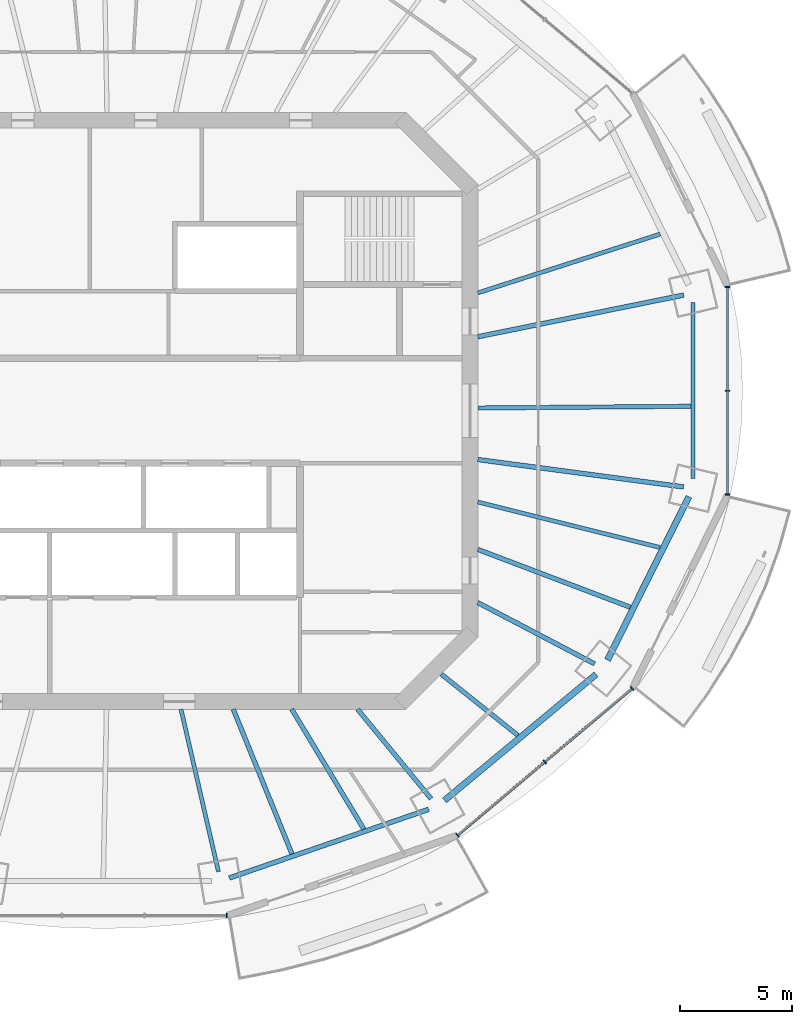
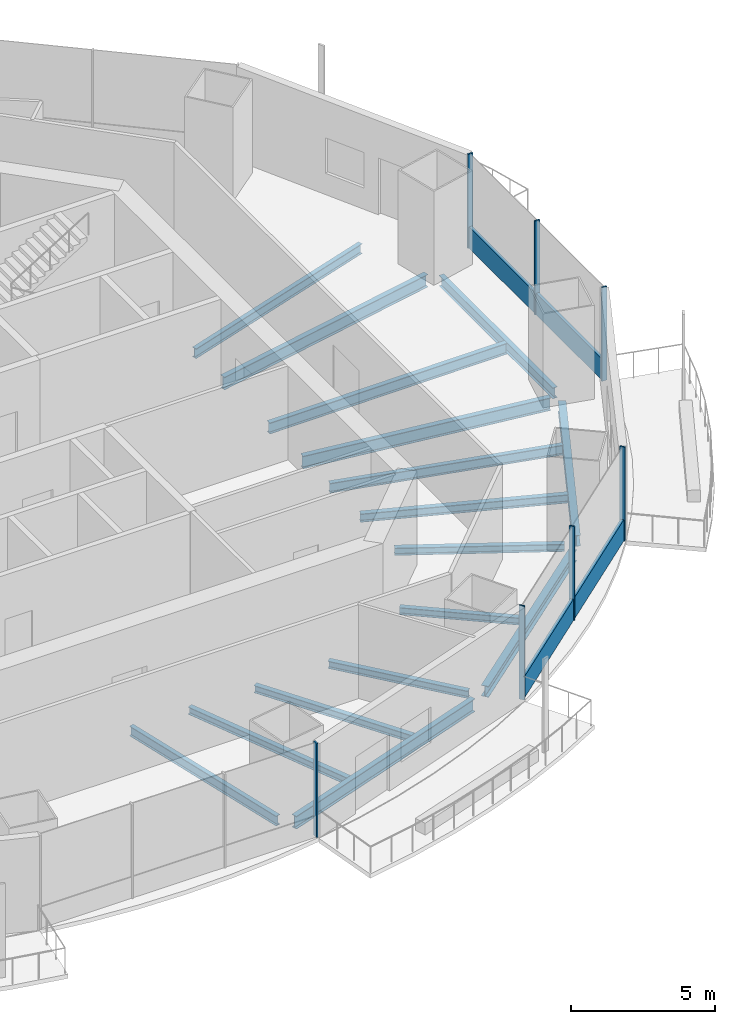
# One storey, part 4 of 16: 16 beams, 9 members, 3 elements without a shape of their own.
"""IFC4 building model written with IfcOpenShell, lengths in metres."""

from ifc_helpers import new_model, si_unit, direction, frame, origin, origin_2d, place, context, subcontext, project, spatial, rectangle, i_section, extrude, material, material_profile, profile_set, type_object, element, aggregate, save


model = new_model("IFC4")

# Units and contexts
model_context = context("Model", 3, precision=1e-05, world=origin(), true_north=direction((0.0, 1.0)))
body_context = subcontext(model_context, "Body", "Model", "MODEL_VIEW")
ifc_project = project(units=[si_unit("LENGTHUNIT", "METRE"), si_unit("AREAUNIT", "SQUARE_METRE"), si_unit("VOLUMEUNIT", "CUBIC_METRE"), si_unit("PLANEANGLEUNIT", "RADIAN"), si_unit("MASSUNIT", "GRAM", prefix="KILO")], contexts=[model_context])

# Site, building, storey
site_placement = place(None, origin())
site = spatial("IfcSite", under=ifc_project, at=site_placement, CompositionType="ELEMENT")
building_placement = place(site_placement, origin())
building = spatial("IfcBuilding", under=site, at=building_placement, Name="Marenthal Gate Tower", CompositionType="ELEMENT")
storey_placement = place(building_placement, frame((0.0, 0.0, 296.949951171875)))
storey = spatial("IfcBuildingStorey", under=building, at=storey_placement, Name="L66", CompositionType="ELEMENT", Elevation=296.949951171875)

# Curtain wall, member
ifc_material_1 = material(Name="Aluminium and glass", Category="aluminium")
curtain_wall_type = type_object("IfcCurtainWallType", Name="Curtain wall typical high", PredefinedType="NOTDEFINED", material=ifc_material_1)
curtain_wall_1_placement = place(storey_placement, origin())
curtain_wall_1 = element("IfcCurtainWall", 1, at=curtain_wall_1_placement, inside=storey, type_object=curtain_wall_type, Name="Curtain wall L66 bay 12", PredefinedType="NOTDEFINED")
ifc_material_2 = material(Name="Aluminium", Category="aluminium")
ifc_material_profile_1 = material_profile(ifc_material_2, rectangle(XDim=0.199951171875, YDim=0.06005859375, at=origin_2d()), Name="60x200 aluminium mullion")
ifc_profile_set_1 = profile_set([ifc_material_profile_1], Name="Aluminium")
member_type_1 = type_object("IfcMemberType", Name="Mullion 60x200 typical high", PredefinedType="MULLION", material=ifc_profile_set_1)
member_1_placement = place(storey_placement, frame((5.12548828125, -22.577880859375, 0.0), z_axis=(0.0, 0.0, 1.0), x_axis=(0.0, 1.0, 0.0)))
member_1 = element("IfcMember", 2, at=member_1_placement, type_object=member_type_1, Name="Mullion L66 bay 12.4", PredefinedType="MULLION", context=body_context, shape_type="SweptSolid", body=[
    extrude(rectangle(XDim=0.199951171875, YDim=0.06005859375, at=origin_2d()), origin(), (0.0, 0.0, 1.0), 3.969970703125),
])
aggregate(curtain_wall_1, [member_1])

# Curtain wall, members
curtain_wall_2_placement = place(storey_placement, origin())
curtain_wall_2 = element("IfcCurtainWall", 3, at=curtain_wall_2_placement, inside=storey, type_object=curtain_wall_type, Name="Curtain wall L66 bay 14", PredefinedType="NOTDEFINED")
member_2_placement = place(storey_placement, frame((15.443359375, -18.984375, 0.0), z_axis=(0.0, 0.0, 1.0), x_axis=(-0.643479945432, 0.765462970905, 0.0)))
member_2 = element("IfcMember", 4, at=member_2_placement, type_object=member_type_1, Name="Mullion L66 bay 14.1", PredefinedType="MULLION", context=body_context, shape_type="SweptSolid", body=[
    extrude(rectangle(XDim=0.199951171875, YDim=0.06005859375, at=origin_2d()), origin(), (0.0, 0.0, 1.0), 3.969970703125),
])
member_3_placement = place(storey_placement, frame((19.3486328125, -15.701416015625, 0.0), z_axis=(0.0, 0.0, 1.0), x_axis=(-0.643479945432, 0.765462970905, 0.0)))
member_3 = element("IfcMember", 5, at=member_3_placement, type_object=member_type_1, Name="Mullion L66 bay 14.2", PredefinedType="MULLION", context=body_context, shape_type="SweptSolid", body=[
    extrude(rectangle(XDim=0.199951171875, YDim=0.06005859375, at=origin_2d()), origin(), (0.0, 0.0, 1.0), 3.969970703125),
])
member_4_placement = place(storey_placement, frame((23.25390625, -12.41845703125, 0.0), z_axis=(0.0, 0.0, 1.0), x_axis=(-0.643479945432, 0.765462970905, 0.0)))
member_4 = element("IfcMember", 6, at=member_4_placement, type_object=member_type_1, Name="Mullion L66 bay 14.3", PredefinedType="MULLION", context=body_context, shape_type="SweptSolid", body=[
    extrude(rectangle(XDim=0.199951171875, YDim=0.06005859375, at=origin_2d()), origin(), (0.0, 0.0, 1.0), 3.969970703125),
])

curtain_wall_3_placement = place(storey_placement, origin())
curtain_wall_3 = element("IfcCurtainWall", 7, at=curtain_wall_3_placement, inside=storey, type_object=curtain_wall_type, Name="Curtain wall L66 bay 16", PredefinedType="NOTDEFINED")
member_5_placement = place(storey_placement, frame((27.52880859375, -3.739990234375, 0.0), z_axis=(0.0, 0.0, 1.0), x_axis=(-1.0, 0.0, 0.0)))
member_5 = element("IfcMember", 8, at=member_5_placement, type_object=member_type_1, Name="Mullion L66 bay 16.1", PredefinedType="MULLION", context=body_context, shape_type="SweptSolid", body=[
    extrude(rectangle(XDim=0.199951171875, YDim=0.06005859375, at=origin_2d()), origin(), (0.0, 0.0, 1.0), 3.969970703125),
])
member_6_placement = place(storey_placement, frame((27.52880859375, 0.89990234375, 0.0), z_axis=(0.0, 0.0, 1.0), x_axis=(-1.0, 0.0, 0.0)))
member_6 = element("IfcMember", 9, at=member_6_placement, type_object=member_type_1, Name="Mullion L66 bay 16.2", PredefinedType="MULLION", context=body_context, shape_type="SweptSolid", body=[
    extrude(rectangle(XDim=0.199951171875, YDim=0.06005859375, at=origin_2d()), origin(), (0.0, 0.0, 1.0), 3.969970703125),
])
member_7_placement = place(storey_placement, frame((27.52880859375, 5.5400390625, 0.0), z_axis=(0.0, 0.0, 1.0), x_axis=(-1.0, 0.0, 0.0)))
member_7 = element("IfcMember", 10, at=member_7_placement, type_object=member_type_1, Name="Mullion L66 bay 16.3", PredefinedType="MULLION", context=body_context, shape_type="SweptSolid", body=[
    extrude(rectangle(XDim=0.199951171875, YDim=0.06005859375, at=origin_2d()), origin(), (0.0, 0.0, 1.0), 3.969970703125),
])

# Member
ifc_material_3 = material(Name="Aluminium", Category="aluminium")
ifc_material_profile_2 = material_profile(ifc_material_3, rectangle(XDim=0.1201171875, YDim=0.89990234375, at=origin_2d()), Name="120x900 aluminium transom")
ifc_profile_set_2 = profile_set([ifc_material_profile_2], Name="Aluminium")
member_type_2 = type_object("IfcMemberType", Name="Transom 120x900 typical high", PredefinedType="USERDEFINED", material=ifc_profile_set_2)
member_8_placement = place(storey_placement, frame((15.46630859375, -18.965087890625, 0.449951171875), z_axis=(0.765460155219, 0.643483294866, 0.0), x_axis=(-0.643483294866, 0.765460155219, 0.0)))
member_8 = element("IfcMember", 11, at=member_8_placement, type_object=member_type_2, Name="Transom L66 bay 14", ObjectType="TRANSOM", PredefinedType="USERDEFINED", context=body_context, shape_type="SweptSolid", body=[
    extrude(rectangle(XDim=0.1201171875, YDim=0.89990234375, at=origin_2d()), origin(), (0.0, 0.0, 1.0), 10.143798828125),
])

aggregate(curtain_wall_2, [member_2, member_3, member_4, member_8])

member_9_placement = place(storey_placement, frame((27.52880859375, -3.710205078125, 0.449951171875), z_axis=(0.0, 1.0, 0.0), x_axis=(-1.0, 0.0, 0.0)))
member_9 = element("IfcMember", 12, at=member_9_placement, type_object=member_type_2, Name="Transom L66 bay 16", ObjectType="TRANSOM", PredefinedType="USERDEFINED", context=body_context, shape_type="SweptSolid", body=[
    extrude(rectangle(XDim=0.1201171875, YDim=0.89990234375, at=origin_2d()), origin(), (0.0, 0.0, 1.0), 9.22021484375),
])

aggregate(curtain_wall_3, [member_5, member_6, member_7, member_9])

# Beams
ifc_material_4 = material(Name="Steel S355", Category="steel")
ifc_material_profile_3 = material_profile(ifc_material_4, i_section(OverallWidth=0.202880859375, OverallDepth=0.302001953125, WebThickness=0.007568359375, FlangeThickness=0.01318359375, FilletRadius=0.0126953125, at=origin_2d()), Name="W310X60")
ifc_profile_set_3 = profile_set([ifc_material_profile_3], Name="Steel S355")
beam_type_1 = type_object("IfcBeamType", Name="W310X60 beam", PredefinedType="BEAM", material=ifc_profile_set_3)
beam_1_placement = place(storey_placement, frame((18.1416015625, -14.5166015625, -0.3310546875), z_axis=(-0.780798186139, 0.624783316456, 0.0), x_axis=(-0.624783316456, -0.780798186139, 0.0)))
element("IfcBeam", 13, at=beam_1_placement, inside=storey, type_object=beam_type_1, Name="BM-L66-37", PredefinedType="BEAM", context=body_context, shape_type="SweptSolid", body=[
    extrude(i_section(OverallWidth=0.202880859375, OverallDepth=0.302001953125, WebThickness=0.007568359375, FlangeThickness=0.01318359375, FilletRadius=0.0126953125, at=origin_2d()), origin(), (0.0, 0.0, 1.0), 4.384765625),
])
ifc_material_5 = material(Name="Steel S355", Category="steel")
ifc_material_profile_4 = material_profile(ifc_material_5, i_section(OverallWidth=0.205078125, OverallDepth=0.31005859375, WebThickness=0.009521484375, FlangeThickness=0.016357421875, FilletRadius=0.0126953125, at=origin_2d()), Name="W310X74")
ifc_profile_set_4 = profile_set([ifc_material_profile_4], Name="Steel S355")
beam_type_2 = type_object("IfcBeamType", Name="W310X74 beam", PredefinedType="BEAM", material=ifc_profile_set_4)
beam_2_placement = place(storey_placement, frame((14.262939453125, -17.349853515625, -0.3349609375), z_axis=(-0.635036003513, 0.772482539765, 0.0), x_axis=(-0.772482539765, -0.635036003513, 0.0)))
element("IfcBeam", 14, at=beam_2_placement, inside=storey, type_object=beam_type_2, Name="BM-L66-14", PredefinedType="BEAM", context=body_context, shape_type="SweptSolid", body=[
    extrude(i_section(OverallWidth=0.205078125, OverallDepth=0.31005859375, WebThickness=0.009521484375, FlangeThickness=0.016357421875, FilletRadius=0.0126953125, at=origin_2d()), origin(), (0.0, 0.0, 1.0), 5.177734375),
])
beam_3_placement = place(storey_placement, frame((21.5712890625, -11.31591796875, -0.3349609375), z_axis=(-0.885545270572, 0.464553090365, 0.0), x_axis=(-0.464553090365, -0.885545270572, 0.0)))
element("IfcBeam", 15, at=beam_3_placement, inside=storey, type_object=beam_type_2, Name="BM-L66-15", PredefinedType="BEAM", context=body_context, shape_type="SweptSolid", body=[
    extrude(i_section(OverallWidth=0.205078125, OverallDepth=0.31005859375, WebThickness=0.009521484375, FlangeThickness=0.016357421875, FilletRadius=0.0126953125, at=origin_2d()), origin(), (0.0, 0.0, 1.0), 5.89599609375),
])
beam_4_placement = place(storey_placement, frame((8.0390625, -19.817138671875, -0.3349609375), z_axis=(-0.375921906539, 0.926651347694, 0.0), x_axis=(-0.926651347694, -0.375921906539, 0.0)))
element("IfcBeam", 16, at=beam_4_placement, inside=storey, type_object=beam_type_2, Name="BM-L66-35", PredefinedType="BEAM", context=body_context, shape_type="SweptSolid", body=[
    extrude(i_section(OverallWidth=0.205078125, OverallDepth=0.31005859375, WebThickness=0.009521484375, FlangeThickness=0.016357421875, FilletRadius=0.0126953125, at=origin_2d()), origin(), (0.0, 0.0, 1.0), 6.97900390625),
])
beam_5_placement = place(storey_placement, frame((11.2548828125, -18.7099609375, -0.3349609375), z_axis=(-0.515459756006, 0.856913787926, 0.0), x_axis=(-0.856913787926, -0.515459756006, 0.0)))
element("IfcBeam", 17, at=beam_5_placement, inside=storey, type_object=beam_type_2, Name="BM-L66-36", PredefinedType="BEAM", context=body_context, shape_type="SweptSolid", body=[
    extrude(i_section(OverallWidth=0.205078125, OverallDepth=0.31005859375, WebThickness=0.009521484375, FlangeThickness=0.016357421875, FilletRadius=0.0126953125, at=origin_2d()), origin(), (0.0, 0.0, 1.0), 6.2548828125),
])
ifc_material_6 = material(Name="Steel S355", Category="steel")
ifc_material_profile_5 = material_profile(ifc_material_6, i_section(OverallWidth=0.205078125, OverallDepth=0.35302734375, WebThickness=0.009521484375, FlangeThickness=0.016845703125, FilletRadius=0.014892578125, at=origin_2d()), Name="W360X79")
ifc_profile_set_5 = profile_set([ifc_material_profile_5], Name="Steel S355")
beam_type_3 = type_object("IfcBeamType", Name="W360X79 beam", PredefinedType="BEAM", material=ifc_profile_set_5)
beam_6_placement = place(storey_placement, frame((23.170654296875, -8.78515625, -0.3564453125), z_axis=(-0.935050712882, 0.354513983278, 0.0), x_axis=(-0.354513983278, -0.935050712882, 0.0)))
element("IfcBeam", 18, at=beam_6_placement, inside=storey, type_object=beam_type_3, Name="BM-L66-38", PredefinedType="BEAM", context=body_context, shape_type="SweptSolid", body=[
    extrude(i_section(OverallWidth=0.205078125, OverallDepth=0.35302734375, WebThickness=0.009521484375, FlangeThickness=0.016845703125, FilletRadius=0.014892578125, at=origin_2d()), origin(), (0.0, 0.0, 1.0), 7.29443359375),
])
ifc_material_7 = material(Name="Steel S355", Category="steel")
ifc_material_profile_6 = material_profile(ifc_material_7, i_section(OverallWidth=0.180908203125, OverallDepth=0.4169921875, WebThickness=0.010986328125, FlangeThickness=0.018310546875, FilletRadius=0.01025390625, at=origin_2d()), Name="W410X85")
ifc_profile_set_6 = profile_set([ifc_material_profile_6], Name="Steel S355")
beam_type_4 = type_object("IfcBeamType", Name="W410X85 beam", PredefinedType="BEAM", material=ifc_profile_set_6)
beam_7_placement = place(storey_placement, frame((4.751220703125, -20.612548828125, -0.388427734375), z_axis=(-0.224620257537, 0.974446376105, 0.0), x_axis=(-0.974446376105, -0.224620257537, 0.0)))
element("IfcBeam", 19, at=beam_7_placement, inside=storey, type_object=beam_type_4, Name="BM-L66-13", PredefinedType="BEAM", context=body_context, shape_type="SweptSolid", body=[
    extrude(i_section(OverallWidth=0.180908203125, OverallDepth=0.4169921875, WebThickness=0.010986328125, FlangeThickness=0.018310546875, FilletRadius=0.01025390625, at=origin_2d()), origin(), (0.0, 0.0, 1.0), 7.452880859375),
])
beam_8_placement = place(storey_placement, frame((24.506103515625, 7.905029296875, -0.388427734375), z_axis=(-0.951704053105, -0.307016929994, 0.0), x_axis=(0.307016929994, -0.951704053105, 0.0)))
element("IfcBeam", 20, at=beam_8_placement, inside=storey, type_object=beam_type_4, Name="BM-L66-17", PredefinedType="BEAM", context=body_context, shape_type="SweptSolid", body=[
    extrude(i_section(OverallWidth=0.180908203125, OverallDepth=0.4169921875, WebThickness=0.010986328125, FlangeThickness=0.018310546875, FilletRadius=0.01025390625, at=origin_2d()), origin(), (0.0, 0.0, 1.0), 8.56982421875),
])
beam_9_placement = place(storey_placement, frame((24.501953125, -6.11376953125, -0.388427734375), z_axis=(-0.97024838396, 0.242111696171, 0.0), x_axis=(-0.242111696171, -0.97024838396, 0.0)))
element("IfcBeam", 21, at=beam_9_placement, inside=storey, type_object=beam_type_4, Name="BM-L66-39", PredefinedType="BEAM", context=body_context, shape_type="SweptSolid", body=[
    extrude(i_section(OverallWidth=0.180908203125, OverallDepth=0.4169921875, WebThickness=0.010986328125, FlangeThickness=0.018310546875, FilletRadius=0.01025390625, at=origin_2d()), origin(), (0.0, 0.0, 1.0), 8.40185546875),
])
ifc_material_8 = material(Name="Steel S355", Category="steel")
ifc_material_profile_7 = material_profile(ifc_material_8, i_section(OverallWidth=0.279052734375, OverallDepth=0.4619140625, WebThickness=0.0107421875, FlangeThickness=0.017333984375, FilletRadius=0.010009765625, at=origin_2d()), Name="W460X113")
ifc_profile_set_7 = profile_set([ifc_material_profile_7], Name="Steel S355")
beam_type_5 = type_object("IfcBeamType", Name="W460X113 beam", PredefinedType="BEAM", material=ifc_profile_set_7)
beam_10_placement = place(storey_placement, frame((14.8623046875, -17.424072265625, -0.410888671875), z_axis=(0.769010658492, 0.639235955752, 0.0), x_axis=(-0.639235955752, 0.769010658492, 0.0)))
element("IfcBeam", 22, at=beam_10_placement, inside=storey, type_object=beam_type_5, Name="BM-L66-54", PredefinedType="BEAM", context=body_context, shape_type="SweptSolid", body=[
    extrude(i_section(OverallWidth=0.279052734375, OverallDepth=0.4619140625, WebThickness=0.0107421875, FlangeThickness=0.017333984375, FilletRadius=0.010009765625, at=origin_2d()), origin(), (0.0, 0.0, 1.0), 8.815673828125),
])
beam_11_placement = place(storey_placement, frame((22.15087890625, -11.144287109375, -0.410888671875), z_axis=(0.446016397949, 0.895024788908, 0.0), x_axis=(-0.895024788908, 0.446016397949, 0.0)))
element("IfcBeam", 23, at=beam_11_placement, inside=storey, type_object=beam_type_5, Name="BM-L66-55", PredefinedType="BEAM", context=body_context, shape_type="SweptSolid", body=[
    extrude(i_section(OverallWidth=0.279052734375, OverallDepth=0.4619140625, WebThickness=0.0107421875, FlangeThickness=0.017333984375, FilletRadius=0.010009765625, at=origin_2d()), origin(), (0.0, 0.0, 1.0), 8.159912109375),
])
ifc_material_9 = material(Name="Steel S355", Category="steel")
ifc_material_profile_8 = material_profile(ifc_material_9, i_section(OverallWidth=0.19091796875, OverallDepth=0.45703125, WebThickness=0.009033203125, FlangeThickness=0.014404296875, FilletRadius=0.01025390625, at=origin_2d()), Name="W460X74")
ifc_profile_set_8 = profile_set([ifc_material_profile_8], Name="Steel S355")
beam_type_6 = type_object("IfcBeamType", Name="W460X74 beam", PredefinedType="BEAM", material=ifc_profile_set_8)
beam_12_placement = place(storey_placement, frame((25.979248046875, -3.036376953125, -0.408447265625), z_axis=(0.0, 1.0, 0.0), x_axis=(-1.0, 0.0, 0.0)))
element("IfcBeam", 24, at=beam_12_placement, inside=storey, type_object=beam_type_6, Name="BM-L66-56", PredefinedType="BEAM", context=body_context, shape_type="SweptSolid", body=[
    extrude(i_section(OverallWidth=0.19091796875, OverallDepth=0.45703125, WebThickness=0.009033203125, FlangeThickness=0.014404296875, FilletRadius=0.01025390625, at=origin_2d()), origin(), (0.0, 0.0, 1.0), 7.872802734375),
])
ifc_material_10 = material(Name="Steel S355", Category="steel")
ifc_material_profile_9 = material_profile(ifc_material_10, i_section(OverallWidth=0.193115234375, OverallDepth=0.467041015625, WebThickness=0.011474609375, FlangeThickness=0.01904296875, FilletRadius=0.010009765625, at=origin_2d()), Name="W460X97")
ifc_profile_set_9 = profile_set([ifc_material_profile_9], Name="Steel S355")
beam_type_7 = type_object("IfcBeamType", Name="W460X97 beam", PredefinedType="BEAM", material=ifc_profile_set_9)
beam_13_placement = place(storey_placement, frame((25.8837890625, 0.201416015625, -0.413330078125), z_axis=(-0.999969699112, -0.007784655276, 0.0), x_axis=(0.007784655276, -0.999969699112, 0.0)))
element("IfcBeam", 25, at=beam_13_placement, inside=storey, type_object=beam_type_7, Name="BM-L66-40", PredefinedType="BEAM", context=body_context, shape_type="SweptSolid", body=[
    extrude(i_section(OverallWidth=0.193115234375, OverallDepth=0.467041015625, WebThickness=0.011474609375, FlangeThickness=0.01904296875, FilletRadius=0.010009765625, at=origin_2d()), origin(), (0.0, 0.0, 1.0), 9.533935546875),
])
ifc_material_11 = material(Name="Steel S355", Category="steel")
ifc_material_profile_10 = material_profile(ifc_material_11, i_section(OverallWidth=0.2099609375, OverallDepth=0.535888671875, WebThickness=0.010986328125, FlangeThickness=0.017333984375, FilletRadius=0.0126953125, at=origin_2d()), Name="W530X101")
ifc_profile_set_10 = profile_set([ifc_material_profile_10], Name="Steel S355")
beam_type_8 = type_object("IfcBeamType", Name="W530X101 beam", PredefinedType="BEAM", material=ifc_profile_set_10)
beam_14_placement = place(storey_placement, frame((25.562255859375, 5.17724609375, -0.447998046875), z_axis=(-0.980101246087, -0.198498230265, 0.0), x_axis=(0.198498230265, -0.980101246087, 0.0)))
element("IfcBeam", 26, at=beam_14_placement, inside=storey, type_object=beam_type_8, Name="BM-L66-01", PredefinedType="BEAM", context=body_context, shape_type="SweptSolid", body=[
    extrude(i_section(OverallWidth=0.2099609375, OverallDepth=0.535888671875, WebThickness=0.010986328125, FlangeThickness=0.017333984375, FilletRadius=0.0126953125, at=origin_2d()), origin(), (0.0, 0.0, 1.0), 9.399169921875),
])
beam_15_placement = place(storey_placement, frame((25.552978515625, -3.405029296875, -0.447998046875), z_axis=(-0.991238232434, 0.132086208821, 0.0), x_axis=(-0.132086208821, -0.991238232434, 0.0)))
element("IfcBeam", 27, at=beam_15_placement, inside=storey, type_object=beam_type_8, Name="BM-L66-16", PredefinedType="BEAM", context=body_context, shape_type="SweptSolid", body=[
    extrude(i_section(OverallWidth=0.2099609375, OverallDepth=0.535888671875, WebThickness=0.010986328125, FlangeThickness=0.017333984375, FilletRadius=0.0126953125, at=origin_2d()), origin(), (0.0, 0.0, 1.0), 9.2841796875),
])
ifc_material_12 = material(Name="Steel S355", Category="steel")
ifc_material_profile_11 = material_profile(ifc_material_12, i_section(OverallWidth=0.2119140625, OverallDepth=0.5439453125, WebThickness=0.01318359375, FlangeThickness=0.021240234375, FilletRadius=0.0126953125, at=origin_2d()), Name="W530X123")
ifc_profile_set_11 = profile_set([ifc_material_profile_11], Name="Steel S355")
beam_type_9 = type_object("IfcBeamType", Name="W530X123 beam", PredefinedType="BEAM", material=ifc_profile_set_11)
beam_16_placement = place(storey_placement, frame((5.2373046875, -20.89404296875, -0.451904296875), z_axis=(0.945516546664, 0.325574046853, 0.0), x_axis=(-0.325574046853, 0.945516546664, 0.0)))
element("IfcBeam", 28, at=beam_16_placement, inside=storey, type_object=beam_type_9, Name="BM-L66-53", PredefinedType="BEAM", context=body_context, shape_type="SweptSolid", body=[
    extrude(i_section(OverallWidth=0.2119140625, OverallDepth=0.5439453125, WebThickness=0.01318359375, FlangeThickness=0.021240234375, FilletRadius=0.0126953125, at=origin_2d()), origin(), (0.0, 0.0, 1.0), 9.427490234375),
])

save(model, "model.ifc")
